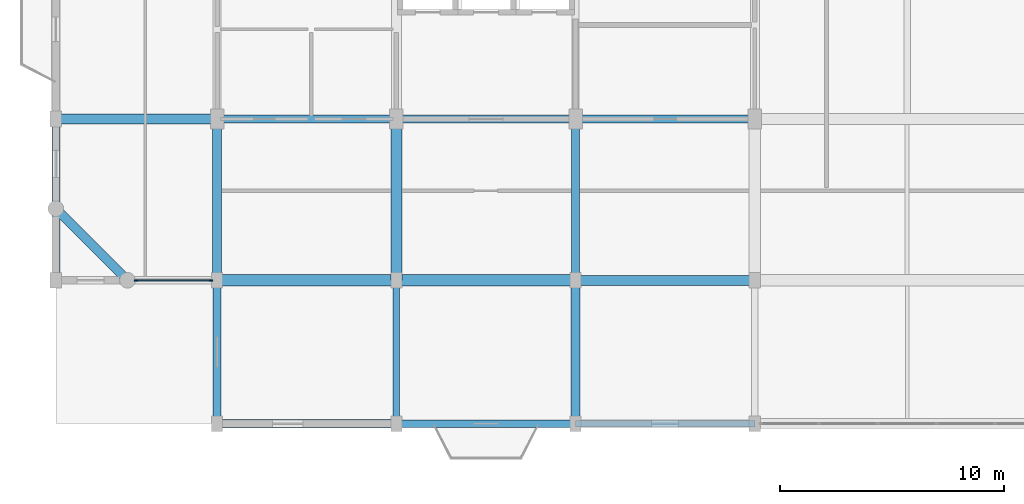
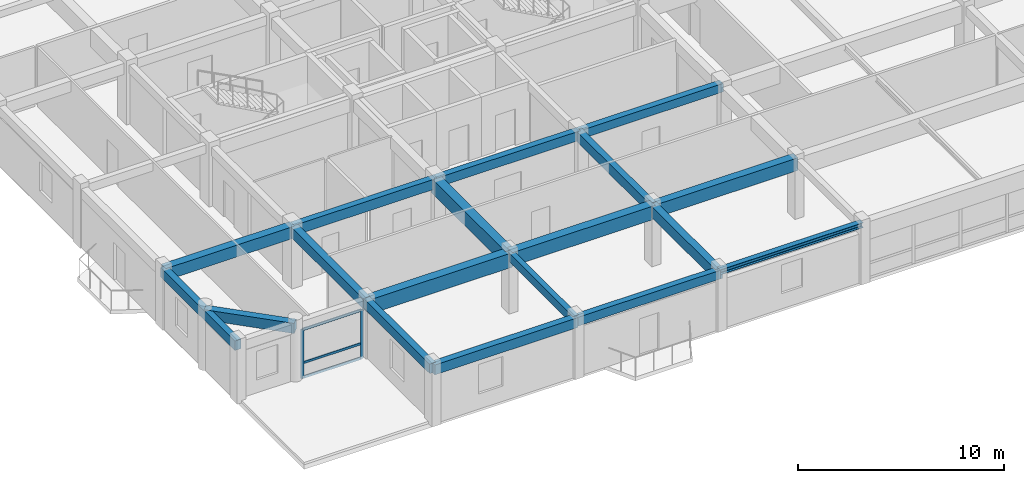
# One storey, part 2 of 14: 18 beams, 5 members, 1 element without a shape of its own.
"""IFC4 building model written with IfcOpenShell, lengths in metres."""

from ifc_helpers import new_model, si_unit, direction, frame, origin, origin_2d, place, context, subcontext, project, spatial, rectangle, i_section, extrude, material, material_profile, profile_set, type_object, element, aggregate, save


model = new_model("IFC4")

# Units and contexts
model_context = context("Model", 3, precision=1e-05, world=origin(), true_north=direction((0.0, 1.0)))
body_context = subcontext(model_context, "Body", "Model", "MODEL_VIEW")
ifc_project = project(units=[si_unit("LENGTHUNIT", "METRE"), si_unit("AREAUNIT", "SQUARE_METRE"), si_unit("VOLUMEUNIT", "CUBIC_METRE"), si_unit("PLANEANGLEUNIT", "RADIAN"), si_unit("MASSUNIT", "GRAM", prefix="KILO")], contexts=[model_context])

# Site, building, storey
site_placement = place(None, origin())
site = spatial("IfcSite", under=ifc_project, at=site_placement, CompositionType="ELEMENT")
building_placement = place(site_placement, origin())
building = spatial("IfcBuilding", under=site, at=building_placement, Name="Vellmiral Cinema and Media Centre", CompositionType="ELEMENT")
storey_placement = place(building_placement, frame((0.0, 0.0, 47.10009765625)))
storey = spatial("IfcBuildingStorey", under=building, at=storey_placement, Name="L11", CompositionType="ELEMENT", Elevation=47.10009765625)

# Beams
ifc_material_1 = material(Name="Concrete C40/50", Category="concrete")
ifc_material_profile_1 = material_profile(ifc_material_1, rectangle(XDim=0.300048828125, YDim=0.5, at=origin_2d()), Name="RC 300x500")
ifc_profile_set_1 = profile_set([ifc_material_profile_1], Name="Concrete C40/50")
beam_type_1 = type_object("IfcBeamType", Name="BM-RC-300x500", PredefinedType="BEAM", material=ifc_profile_set_1)
beam_1_placement = place(storey_placement, frame((132.0, 65.60009765625, 3.244873046875), z_axis=(0.0, 1.0, 0.0), x_axis=(-1.0, 0.0, 0.0)))
element("IfcBeam", 1, at=beam_1_placement, inside=storey, type_object=beam_type_1, Name="Grid Beam L11-Y051", PredefinedType="BEAM", context=body_context, shape_type="SweptSolid", body=[
    extrude(rectangle(XDim=0.300048828125, YDim=0.5, at=origin_2d()), origin(), (0.0, 0.0, 1.0), 6.39990234375),
])
ifc_material_2 = material(Name="Concrete C40/50", Category="concrete")
ifc_material_profile_2 = material_profile(ifc_material_2, rectangle(XDim=0.35009765625, YDim=0.5, at=origin_2d()), Name="RC 350x500")
ifc_profile_set_2 = profile_set([ifc_material_profile_2], Name="Concrete C40/50")
beam_type_2 = type_object("IfcBeamType", Name="BM-RC-350x500", PredefinedType="BEAM", material=ifc_profile_set_2)
beam_2_placement = place(storey_placement, frame((140.0, 79.199951171875, 3.244873046875), z_axis=(1.0, 0.0, 0.0), x_axis=(0.0, 1.0, 0.0)))
element("IfcBeam", 2, at=beam_2_placement, inside=storey, type_object=beam_type_2, Name="Grid Beam L11-X014", PredefinedType="BEAM", context=body_context, shape_type="SweptSolid", body=[
    extrude(rectangle(XDim=0.35009765625, YDim=0.5, at=origin_2d()), origin(), (0.0, 0.0, 1.0), 8.0),
])
ifc_material_3 = material(Name="Concrete C40/50", Category="concrete")
ifc_material_profile_3 = material_profile(ifc_material_3, rectangle(XDim=0.35009765625, YDim=0.550048828125, at=origin_2d()), Name="RC 350x550")
ifc_profile_set_3 = profile_set([ifc_material_profile_3], Name="Concrete C40/50")
beam_type_3 = type_object("IfcBeamType", Name="BM-RC-350x550", PredefinedType="BEAM", material=ifc_profile_set_3)
beam_3_placement = place(storey_placement, frame((132.0, 79.199951171875, 3.219970703125), z_axis=(1.0, 0.0, 0.0), x_axis=(0.0, 1.0, 0.0)))
element("IfcBeam", 3, at=beam_3_placement, inside=storey, type_object=beam_type_3, Name="Grid Beam L11-X013", PredefinedType="BEAM", context=body_context, shape_type="SweptSolid", body=[
    extrude(rectangle(XDim=0.35009765625, YDim=0.550048828125, at=origin_2d()), origin(), (0.0, 0.0, 1.0), 8.0),
])
ifc_material_4 = material(Name="Concrete C40/50", Category="concrete")
ifc_material_profile_4 = material_profile(ifc_material_4, rectangle(XDim=0.35009765625, YDim=0.60009765625, at=origin_2d()), Name="RC 350x600")
ifc_profile_set_4 = profile_set([ifc_material_profile_4], Name="Concrete C40/50")
beam_type_4 = type_object("IfcBeamType", Name="BM-RC-350x600", PredefinedType="BEAM", material=ifc_profile_set_4)
beam_4_placement = place(storey_placement, frame((124.0, 79.199951171875, 3.19482421875), z_axis=(1.0, 0.0, 0.0), x_axis=(0.0, 1.0, 0.0)))
element("IfcBeam", 4, at=beam_4_placement, inside=storey, type_object=beam_type_4, Name="Grid Beam L11-X012", PredefinedType="BEAM", context=body_context, shape_type="SweptSolid", body=[
    extrude(rectangle(XDim=0.35009765625, YDim=0.60009765625, at=origin_2d()), origin(), (0.0, 0.0, 1.0), 8.0),
])
beam_5_placement = place(storey_placement, frame((140.0, 72.0, 3.19482421875), z_axis=(0.0, 1.0, 0.0), x_axis=(-1.0, 0.0, 0.0)))
element("IfcBeam", 5, at=beam_5_placement, inside=storey, type_object=beam_type_4, Name="Grid Beam L11-Y058", PredefinedType="BEAM", context=body_context, shape_type="SweptSolid", body=[
    extrude(rectangle(XDim=0.35009765625, YDim=0.60009765625, at=origin_2d()), origin(), (0.0, 0.0, 1.0), 7.199951171875),
])
ifc_material_5 = material(Name="Concrete C40/50", Category="concrete")
ifc_material_profile_5 = material_profile(ifc_material_5, rectangle(XDim=0.39990234375, YDim=0.60009765625, at=origin_2d()), Name="RC 400x600")
ifc_profile_set_5 = profile_set([ifc_material_profile_5], Name="Concrete C40/50")
beam_type_5 = type_object("IfcBeamType", Name="BM-RC-400x600", PredefinedType="BEAM", material=ifc_profile_set_5)
beam_6_placement = place(storey_placement, frame((124.0, 72.0, 3.19482421875), z_axis=(0.0, 1.0, 0.0), x_axis=(-1.0, 0.0, 0.0)))
element("IfcBeam", 6, at=beam_6_placement, inside=storey, type_object=beam_type_5, Name="Grid Beam L11-Y046", PredefinedType="BEAM", context=body_context, shape_type="SweptSolid", body=[
    extrude(rectangle(XDim=0.39990234375, YDim=0.60009765625, at=origin_2d()), origin(), (0.0, 0.0, 1.0), 7.199951171875),
])
ifc_material_6 = material(Name="Concrete C40/50", Category="concrete")
ifc_material_profile_6 = material_profile(ifc_material_6, rectangle(XDim=0.39990234375, YDim=0.64990234375, at=origin_2d()), Name="RC 400x650")
ifc_profile_set_6 = profile_set([ifc_material_profile_6], Name="Concrete C40/50")
beam_type_6 = type_object("IfcBeamType", Name="BM-RC-400x650", PredefinedType="BEAM", material=ifc_profile_set_6)
beam_7_placement = place(storey_placement, frame((140.0, 65.60009765625, 3.169921875), z_axis=(0.0, 1.0, 0.0), x_axis=(-1.0, 0.0, 0.0)))
element("IfcBeam", 7, at=beam_7_placement, inside=storey, type_object=beam_type_6, Name="Grid Beam L11-Y057", PredefinedType="BEAM", context=body_context, shape_type="SweptSolid", body=[
    extrude(rectangle(XDim=0.39990234375, YDim=0.64990234375, at=origin_2d()), origin(), (0.0, 0.0, 1.0), 6.39990234375),
])
ifc_material_7 = material(Name="Concrete C40/50", Category="concrete")
ifc_material_profile_7 = material_profile(ifc_material_7, rectangle(XDim=0.449951171875, YDim=0.699951171875, at=origin_2d()), Name="RC 450x700")
ifc_profile_set_7 = profile_set([ifc_material_profile_7], Name="Concrete C40/50")
beam_type_7 = type_object("IfcBeamType", Name="BM-RC-450x700", PredefinedType="BEAM", material=ifc_profile_set_7)
beam_8_placement = place(storey_placement, frame((116.800048828125, 79.199951171875, 3.14501953125), z_axis=(1.0, 0.0, 0.0), x_axis=(0.0, 1.0, 0.0)))
element("IfcBeam", 8, at=beam_8_placement, inside=storey, type_object=beam_type_7, Name="Grid Beam L11-X011", PredefinedType="BEAM", context=body_context, shape_type="SweptSolid", body=[
    extrude(rectangle(XDim=0.449951171875, YDim=0.699951171875, at=origin_2d()), origin(), (0.0, 0.0, 1.0), 7.199951171875),
])
ifc_material_8 = material(Name="Concrete C40/50", Category="concrete")
ifc_material_profile_8 = material_profile(ifc_material_8, rectangle(XDim=0.449951171875, YDim=0.75, at=origin_2d()), Name="RC 450x750")
ifc_profile_set_8 = profile_set([ifc_material_profile_8], Name="Concrete C40/50")
beam_type_8 = type_object("IfcBeamType", Name="BM-RC-450x750", PredefinedType="BEAM", material=ifc_profile_set_8)
beam_9_placement = place(storey_placement, frame((140.0, 72.0, 3.119873046875), z_axis=(1.0, 0.0, 0.0), x_axis=(0.0, 1.0, 0.0)))
element("IfcBeam", 9, at=beam_9_placement, inside=storey, type_object=beam_type_8, Name="Grid Beam L11-X008", PredefinedType="BEAM", context=body_context, shape_type="SweptSolid", body=[
    extrude(rectangle(XDim=0.449951171875, YDim=0.75, at=origin_2d()), origin(), (0.0, 0.0, 1.0), 8.0),
])
ifc_material_9 = material(Name="Concrete C40/50", Category="concrete")
ifc_material_profile_9 = material_profile(ifc_material_9, rectangle(XDim=0.5, YDim=0.800048828125, at=origin_2d()), Name="RC 500x800")
ifc_profile_set_9 = profile_set([ifc_material_profile_9], Name="Concrete C40/50")
beam_type_9 = type_object("IfcBeamType", Name="BM-RC-500x800", PredefinedType="BEAM", material=ifc_profile_set_9)
beam_10_placement = place(storey_placement, frame((132.0, 72.0, 3.094970703125), z_axis=(1.0, 0.0, 0.0), x_axis=(0.0, 1.0, 0.0)))
element("IfcBeam", 10, at=beam_10_placement, inside=storey, type_object=beam_type_9, Name="Grid Beam L11-X007", PredefinedType="BEAM", context=body_context, shape_type="SweptSolid", body=[
    extrude(rectangle(XDim=0.5, YDim=0.800048828125, at=origin_2d()), origin(), (0.0, 0.0, 1.0), 8.0),
])
ifc_material_10 = material(Name="Concrete C40/50", Category="concrete")
ifc_material_profile_10 = material_profile(ifc_material_10, rectangle(XDim=0.5, YDim=0.85009765625, at=origin_2d()), Name="RC 500x850")
ifc_profile_set_10 = profile_set([ifc_material_profile_10], Name="Concrete C40/50")
beam_type_10 = type_object("IfcBeamType", Name="BM-RC-500x850", PredefinedType="BEAM", material=ifc_profile_set_10)
beam_11_placement = place(storey_placement, frame((124.0, 72.0, 3.06982421875), z_axis=(1.0, 0.0, 0.0), x_axis=(0.0, 1.0, 0.0)))
element("IfcBeam", 11, at=beam_11_placement, inside=storey, type_object=beam_type_10, Name="Grid Beam L11-X006", PredefinedType="BEAM", context=body_context, shape_type="SweptSolid", body=[
    extrude(rectangle(XDim=0.5, YDim=0.85009765625, at=origin_2d()), origin(), (0.0, 0.0, 1.0), 8.0),
])
beam_12_placement = place(storey_placement, frame((132.0, 72.0, 3.06982421875), z_axis=(0.0, 1.0, 0.0), x_axis=(-1.0, 0.0, 0.0)))
element("IfcBeam", 12, at=beam_12_placement, inside=storey, type_object=beam_type_10, Name="Grid Beam L11-Y052", PredefinedType="BEAM", context=body_context, shape_type="SweptSolid", body=[
    extrude(rectangle(XDim=0.5, YDim=0.85009765625, at=origin_2d()), origin(), (0.0, 0.0, 1.0), 7.199951171875),
])

# Curtain wall, members
ifc_material_11 = material(Name="Thermally Broken Aluminium and Triple Glazing", Category="aluminium")
curtain_wall_type = type_object("IfcCurtainWallType", Name="CW-TOWER-MID-E", PredefinedType="USERDEFINED", material=ifc_material_11)
curtain_wall_placement = place(storey_placement, origin())
curtain_wall = element("IfcCurtainWall", 13, at=curtain_wall_placement, inside=storey, type_object=curtain_wall_type, Name="Curtain Wall L11-B030", ObjectType="UNITISED CURTAIN WALL", PredefinedType="USERDEFINED")
ifc_material_12 = material(Name="Thermally Broken Anodised Aluminium", Category="aluminium")
ifc_material_profile_11 = material_profile(ifc_material_12, rectangle(XDim=0.06494140625, YDim=0.159912109375, at=origin_2d()), Name="MULL 65x160")
ifc_profile_set_11 = profile_set([ifc_material_profile_11], Name="Thermally Broken Anodised Aluminium")
member_type_1 = type_object("IfcMemberType", Name="CWM-65x160", PredefinedType="MULLION", material=ifc_profile_set_11)
member_1_placement = place(storey_placement, frame((120.382568359375, 72.0, 0.0), z_axis=(0.0, 0.0, 1.0), x_axis=(0.0, 1.0, 0.0)))
member_1 = element("IfcMember", 14, at=member_1_placement, type_object=member_type_1, Name="CW-07 mullion 1", PredefinedType="MULLION", context=body_context, shape_type="SweptSolid", body=[
    extrude(rectangle(XDim=0.06494140625, YDim=0.159912109375, at=origin_2d()), origin(), (0.0, 0.0, 1.0), 2.89990234375),
])
member_2_placement = place(storey_placement, frame((123.717529296875, 72.0, 0.0), z_axis=(0.0, 0.0, 1.0), x_axis=(0.0, 1.0, 0.0)))
member_2 = element("IfcMember", 15, at=member_2_placement, type_object=member_type_1, Name="CW-07 mullion 2", PredefinedType="MULLION", context=body_context, shape_type="SweptSolid", body=[
    extrude(rectangle(XDim=0.06494140625, YDim=0.159912109375, at=origin_2d()), origin(), (0.0, 0.0, 1.0), 2.89990234375),
])
ifc_material_13 = material(Name="Thermally Broken Anodised Aluminium", Category="aluminium")
ifc_material_profile_12 = material_profile(ifc_material_13, rectangle(XDim=0.06494140625, YDim=0.135009765625, at=origin_2d()), Name="MULL 65x135")
ifc_profile_set_12 = profile_set([ifc_material_profile_12], Name="Thermally Broken Anodised Aluminium")
member_type_2 = type_object("IfcMemberType", Name="CWT-65x135", PredefinedType="USERDEFINED", material=ifc_profile_set_12)
member_3_placement = place(storey_placement, frame((120.4150390625, 72.0, 0.032470703125), z_axis=(1.0, 0.0, 0.0), x_axis=(0.0, 1.0, 0.0)))
member_3 = element("IfcMember", 16, at=member_3_placement, type_object=member_type_2, Name="CW-07 transom 1.1", ObjectType="TRANSOM", PredefinedType="USERDEFINED", context=body_context, shape_type="SweptSolid", body=[
    extrude(rectangle(XDim=0.06494140625, YDim=0.135009765625, at=origin_2d()), origin(), (0.0, 0.0, 1.0), 3.27001953125),
])
member_4_placement = place(storey_placement, frame((120.4150390625, 72.0, 0.89990234375), z_axis=(1.0, 0.0, 0.0), x_axis=(0.0, 1.0, 0.0)))
member_4 = element("IfcMember", 17, at=member_4_placement, type_object=member_type_2, Name="CW-07 transom 1.2", ObjectType="TRANSOM", PredefinedType="USERDEFINED", context=body_context, shape_type="SweptSolid", body=[
    extrude(rectangle(XDim=0.06494140625, YDim=0.135009765625, at=origin_2d()), origin(), (0.0, 0.0, 1.0), 3.27001953125),
])
member_5_placement = place(storey_placement, frame((120.4150390625, 72.0, 2.867431640625), z_axis=(1.0, 0.0, 0.0), x_axis=(0.0, 1.0, 0.0)))
member_5 = element("IfcMember", 18, at=member_5_placement, type_object=member_type_2, Name="CW-07 transom 1.3", ObjectType="TRANSOM", PredefinedType="USERDEFINED", context=body_context, shape_type="SweptSolid", body=[
    extrude(rectangle(XDim=0.06494140625, YDim=0.135009765625, at=origin_2d()), origin(), (0.0, 0.0, 1.0), 3.27001953125),
])
aggregate(curtain_wall, [member_1, member_2, member_3, member_4, member_5])

# Beams
ifc_material_14 = material(Name="Steel S355", Category="steel")
ifc_material_profile_13 = material_profile(ifc_material_14, i_section(OverallWidth=0.300048828125, OverallDepth=0.300048828125, WebThickness=0.010986328125, FlangeThickness=0.01904296875, FilletRadius=0.027099609375, at=origin_2d()), Name="HEB 300")
ifc_profile_set_13 = profile_set([ifc_material_profile_13], Name="Steel S355")
beam_type_11 = type_object("IfcBeamType", Name="SBM-HEB300", PredefinedType="SPANDREL", material=ifc_profile_set_13)
beam_13_placement = place(storey_placement, frame((140.0, 65.60009765625, 3.344970703125), z_axis=(1.0, 0.0, 0.0), x_axis=(0.0, 1.0, 0.0)))
element("IfcBeam", 19, at=beam_13_placement, inside=storey, type_object=beam_type_11, Name="Grid Beam L11-X003", PredefinedType="SPANDREL", context=body_context, shape_type="SweptSolid", body=[
    extrude(i_section(OverallWidth=0.300048828125, OverallDepth=0.300048828125, WebThickness=0.010986328125, FlangeThickness=0.01904296875, FilletRadius=0.027099609375, at=origin_2d()), origin(), (0.0, 0.0, 1.0), 8.0),
])
ifc_material_15 = material(Name="Concrete C40/50", Category="concrete")
ifc_material_profile_14 = material_profile(ifc_material_15, rectangle(XDim=0.35009765625, YDim=0.56005859375, at=origin_2d()), Name="RC 350x560")
ifc_profile_set_14 = profile_set([ifc_material_profile_14], Name="Concrete C40/50")
beam_type_12 = type_object("IfcBeamType", Name="SPD-RC-350x560", PredefinedType="SPANDREL", material=ifc_profile_set_14)
beam_14_placement = place(storey_placement, frame((116.800048828125, 72.0, 3.21484375), z_axis=(0.0, 1.0, 0.0), x_axis=(-1.0, 0.0, 0.0)))
element("IfcBeam", 20, at=beam_14_placement, inside=storey, type_object=beam_type_12, Name="Grid Beam L11-Y040", PredefinedType="SPANDREL", context=body_context, shape_type="SweptSolid", body=[
    extrude(rectangle(XDim=0.35009765625, YDim=0.56005859375, at=origin_2d()), origin(), (0.0, 0.0, 1.0), 7.199951171875),
])
beam_15_placement = place(storey_placement, frame((124.0, 65.60009765625, 3.21484375), z_axis=(0.0, 1.0, 0.0), x_axis=(-1.0, 0.0, 0.0)))
element("IfcBeam", 21, at=beam_15_placement, inside=storey, type_object=beam_type_12, Name="Grid Beam L11-Y045", PredefinedType="SPANDREL", context=body_context, shape_type="SweptSolid", body=[
    extrude(rectangle(XDim=0.35009765625, YDim=0.56005859375, at=origin_2d()), origin(), (0.0, 0.0, 1.0), 6.39990234375),
])
ifc_material_16 = material(Name="Concrete C40/50", Category="concrete")
ifc_material_profile_15 = material_profile(ifc_material_16, rectangle(XDim=0.39990234375, YDim=0.60009765625, at=origin_2d()), Name="RC 400x600")
ifc_profile_set_15 = profile_set([ifc_material_profile_15], Name="Concrete C40/50")
beam_type_13 = type_object("IfcBeamType", Name="SPD-RC-400x600", PredefinedType="SPANDREL", material=ifc_profile_set_15)
beam_16_placement = place(storey_placement, frame((116.800048828125, 75.199951171875, 3.19482421875), z_axis=(0.707106781187, -0.707106781187, 0.0), x_axis=(0.707106781187, 0.707106781187, 0.0)))
element("IfcBeam", 22, at=beam_16_placement, inside=storey, type_object=beam_type_13, Name="Xamfra Chamfer Spandrel Beam L11-079", PredefinedType="SPANDREL", context=body_context, shape_type="SweptSolid", body=[
    extrude(rectangle(XDim=0.39990234375, YDim=0.60009765625, at=origin_2d()), origin(), (0.0, 0.0, 1.0), 4.525390625),
])
ifc_material_17 = material(Name="Vosges Red Sandstone Masonry", Category="masonry")
ifc_material_profile_16 = material_profile(ifc_material_17, rectangle(XDim=0.340087890625, YDim=0.52001953125, at=origin_2d()), Name="SAND 340x520")
ifc_profile_set_16 = profile_set([ifc_material_profile_16], Name="Vosges Red Sandstone Masonry")
beam_type_14 = type_object("IfcBeamType", Name="SPD-SAND-340x520", PredefinedType="SPANDREL", material=ifc_profile_set_16)
beam_17_placement = place(storey_placement, frame((132.0, 65.60009765625, 3.23486328125), z_axis=(1.0, 0.0, 0.0), x_axis=(0.0, 1.0, 0.0)))
element("IfcBeam", 23, at=beam_17_placement, inside=storey, type_object=beam_type_14, Name="Grid Beam L11-X002", PredefinedType="SPANDREL", context=body_context, shape_type="SweptSolid", body=[
    extrude(rectangle(XDim=0.340087890625, YDim=0.52001953125, at=origin_2d()), origin(), (0.0, 0.0, 1.0), 8.0),
])
ifc_material_18 = material(Name="Vosges Red Sandstone Masonry", Category="masonry")
ifc_material_profile_17 = material_profile(ifc_material_18, rectangle(XDim=0.3798828125, YDim=0.580078125, at=origin_2d()), Name="SAND 380x580")
ifc_profile_set_17 = profile_set([ifc_material_profile_17], Name="Vosges Red Sandstone Masonry")
beam_type_15 = type_object("IfcBeamType", Name="SPD-SAND-380x580", PredefinedType="SPANDREL", material=ifc_profile_set_17)
beam_18_placement = place(storey_placement, frame((124.0, 65.60009765625, 3.204833984375), z_axis=(1.0, 0.0, 0.0), x_axis=(0.0, 1.0, 0.0)))
element("IfcBeam", 24, at=beam_18_placement, inside=storey, type_object=beam_type_15, Name="Grid Beam L11-X001", PredefinedType="SPANDREL", context=body_context, shape_type="SweptSolid", body=[
    extrude(rectangle(XDim=0.3798828125, YDim=0.580078125, at=origin_2d()), origin(), (0.0, 0.0, 1.0), 8.0),
])

save(model, "model.ifc")
